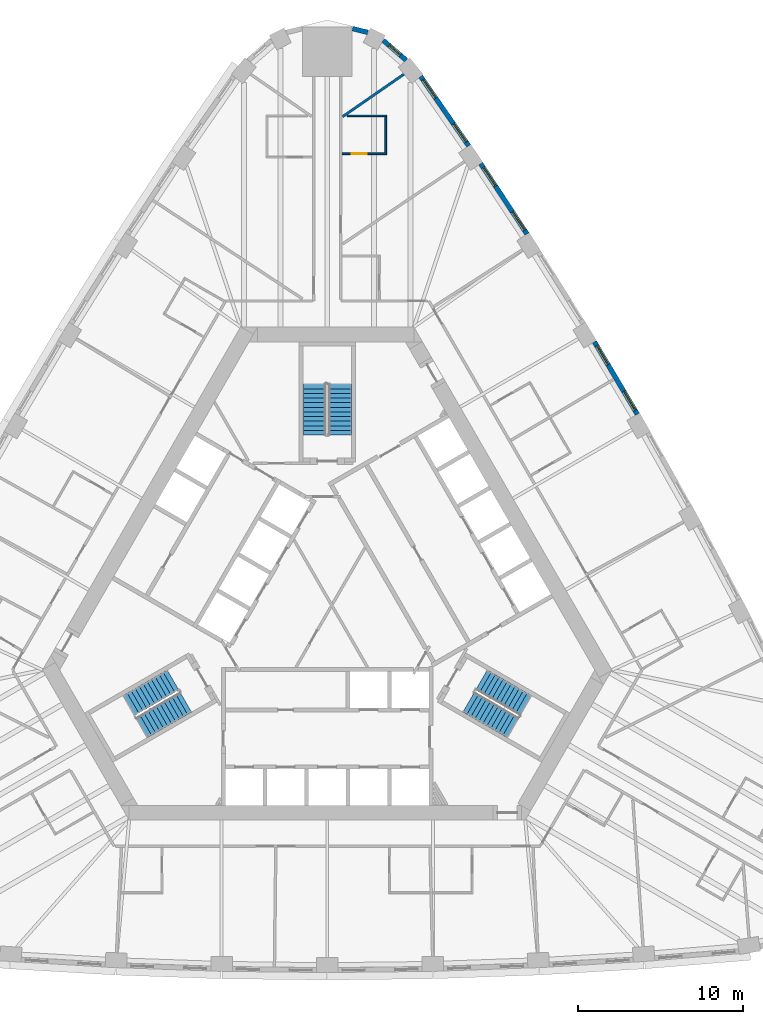
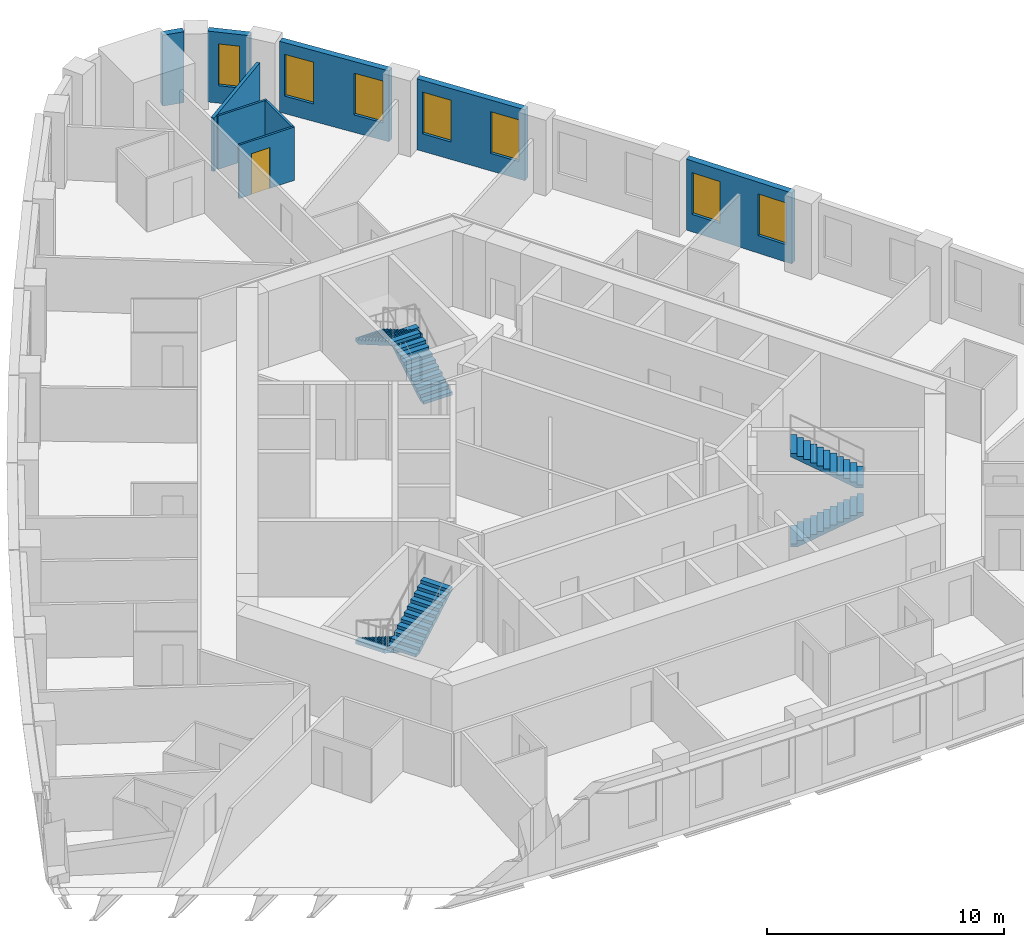
# One storey, part 11 of 12: 9 walls, 7 windows, 6 stair flights, 1 door, 8 openings, 3 elements without a shape of their own.
"""IFC4 building model written with IfcOpenShell, lengths in metres."""

from ifc_helpers import new_model, si_unit, direction, frame, frame_2d, origin, place, context, subcontext, project, spatial, polyline, rectangle, outline, extrude, material, layer, layer_set, type_object, element, fill, aggregate, save


model = new_model("IFC4")

# Units and contexts
model_context = context("Model", 3, precision=1e-05, world=origin(), true_north=direction((0.0, 1.0)))
body_context = subcontext(model_context, "Body", "Model", "MODEL_VIEW")
ifc_project = project(units=[si_unit("LENGTHUNIT", "METRE"), si_unit("AREAUNIT", "SQUARE_METRE"), si_unit("VOLUMEUNIT", "CUBIC_METRE"), si_unit("PLANEANGLEUNIT", "RADIAN"), si_unit("MASSUNIT", "GRAM", prefix="KILO")], contexts=[model_context])

# Site, building, storey
site_placement = place(None, origin())
site = spatial("IfcSite", under=ifc_project, at=site_placement, CompositionType="ELEMENT")
building_placement = place(site_placement, origin())
building = spatial("IfcBuilding", under=site, at=building_placement, Name="Mestral Congress Tower", CompositionType="ELEMENT")
storey_placement = place(building_placement, frame((0.0, 0.0, 122.699951171875)))
storey = spatial("IfcBuildingStorey", under=building, at=storey_placement, Name="L29", CompositionType="ELEMENT", Elevation=122.699951171875)

# Wall, openings, windows
ifc_material_1 = material(Name="Precast concrete C40/50 with limestone facing", Category="masonry")
ifc_layer_1 = layer(ifc_material_1, 0.2900390625)
ifc_layer_set_1 = layer_set([ifc_layer_1], Name="Precast concrete C40/50 with limestone facing")
wall_type_1 = type_object("IfcWallType", Name="Facade stone wall 290", PredefinedType="SOLIDWALL", material=ifc_layer_set_1)
wall_1_placement = place(storey_placement, frame((18.8046875, 11.611083984375, 0.0), z_axis=(0.0, 0.0, 1.0), x_axis=(-0.510054281659, 0.860142214847, 0.0)))
wall_1 = element("IfcWall", 1, at=wall_1_placement, inside=storey, type_object=wall_type_1, Name="Facade wall F1-04", PredefinedType="SOLIDWALL", context=body_context, shape_type="SweptSolid", body=[
    extrude(rectangle(XDim=5.1005859375, YDim=0.2900390625, at=frame_2d((2.55029296875, 0.0))), origin(), (0.0, 0.0, 1.0), 3.650146484375),
])
opening_1_placement = place(wall_1_placement, frame((0.272705078125, 0.0, 0.89990234375)))
opening_1 = element("IfcOpeningElement", 2, at=opening_1_placement, cuts=wall_1, Name="Opening W2", PredefinedType="OPENING", context=body_context, shape_type="SweptSolid", body=[
    extrude(rectangle(XDim=1.35009765625, YDim=2.14990234375, at=frame_2d((0.675048828125, 1.074951171875))), frame((0.0, 0.155029296875, 0.0), z_axis=(0.0, -1.0, 0.0), x_axis=(1.0, 0.0, 0.0)), (0.0, 0.0, 1.0), 0.31005859375),
])
opening_2_placement = place(wall_1_placement, frame((3.477783203125, 0.0, 0.89990234375)))
opening_2 = element("IfcOpeningElement", 3, at=opening_2_placement, cuts=wall_1, Name="Opening W2", PredefinedType="OPENING", context=body_context, shape_type="SweptSolid", body=[
    extrude(rectangle(XDim=1.35009765625, YDim=2.14990234375, at=frame_2d((0.675048828125, 1.074951171875))), frame((0.0, 0.155029296875, 0.0), z_axis=(0.0, -1.0, 0.0), x_axis=(1.0, 0.0, 0.0)), (0.0, 0.0, 1.0), 0.31005859375),
])
ifc_material_2 = material(Name="Clear low-emissivity double glazing", Category="glass")
window_type_1 = type_object("IfcWindowType", Name="Facade punched window 1350 x 2150 sill 900", PartitioningType="DOUBLE_PANEL_VERTICAL", PredefinedType="WINDOW", material=ifc_material_2)
window_1_placement = place(opening_1_placement, origin())
window_1 = element("IfcWindow", 4, at=window_1_placement, inside=storey, type_object=window_type_1, Name="Window F1-04a", OverallHeight=2.14990234375, OverallWidth=1.35009765625, PartitioningType="DOUBLE_PANEL_VERTICAL", PredefinedType="WINDOW", context=body_context, shape_type="SweptSolid", body=[
    extrude(rectangle(XDim=1.35009765625, YDim=2.14990234375, at=frame_2d((0.675048828125, 1.074951171875))), frame((0.0, 0.01513671875, 0.0), z_axis=(0.0, -1.0, 0.0), x_axis=(1.0, 0.0, 0.0)), (0.0, 0.0, 1.0), 0.06005859375),
])
fill(opening_1, window_1)
window_2_placement = place(opening_2_placement, origin())
window_2 = element("IfcWindow", 5, at=window_2_placement, inside=storey, type_object=window_type_1, Name="Window F1-04b", OverallHeight=2.14990234375, OverallWidth=1.35009765625, PartitioningType="DOUBLE_PANEL_VERTICAL", PredefinedType="WINDOW", context=body_context, shape_type="SweptSolid", body=[
    extrude(rectangle(XDim=1.35009765625, YDim=2.14990234375, at=frame_2d((0.675048828125, 1.074951171875))), frame((0.0, 0.01513671875, 0.0), z_axis=(0.0, -1.0, 0.0), x_axis=(1.0, 0.0, 0.0)), (0.0, 0.0, 1.0), 0.06005859375),
])
fill(opening_2, window_2)

wall_2_placement = place(storey_placement, frame((12.114501953125, 22.538818359375, 0.0), z_axis=(0.0, 0.0, 1.0), x_axis=(-0.549741341923, 0.835334937005, 0.0)))
wall_2 = element("IfcWall", 6, at=wall_2_placement, inside=storey, type_object=wall_type_1, Name="Facade wall F1-06", PredefinedType="SOLIDWALL", context=body_context, shape_type="SweptSolid", body=[
    extrude(rectangle(XDim=5.10009765625, YDim=0.2900390625, at=frame_2d((2.550048828125, 0.0))), origin(), (0.0, 0.0, 1.0), 3.650146484375),
])
opening_3_placement = place(wall_2_placement, frame((0.272705078125, 0.0, 0.89990234375)))
opening_3 = element("IfcOpeningElement", 7, at=opening_3_placement, cuts=wall_2, Name="Opening W2", PredefinedType="OPENING", context=body_context, shape_type="SweptSolid", body=[
    extrude(rectangle(XDim=1.35009765625, YDim=2.14990234375, at=frame_2d((0.675048828125, 1.074951171875))), frame((0.0, 0.155029296875, 0.0), z_axis=(0.0, -1.0, 0.0), x_axis=(1.0, 0.0, 0.0)), (0.0, 0.0, 1.0), 0.31005859375),
])
opening_4_placement = place(wall_2_placement, frame((3.477783203125, 0.0, 0.89990234375)))
opening_4 = element("IfcOpeningElement", 8, at=opening_4_placement, cuts=wall_2, Name="Opening W2", PredefinedType="OPENING", context=body_context, shape_type="SweptSolid", body=[
    extrude(rectangle(XDim=1.35009765625, YDim=2.14990234375, at=frame_2d((0.675048828125, 1.074951171875))), frame((0.0, 0.155029296875, 0.0), z_axis=(0.0, -1.0, 0.0), x_axis=(1.0, 0.0, 0.0)), (0.0, 0.0, 1.0), 0.31005859375),
])
window_3_placement = place(opening_3_placement, origin())
window_3 = element("IfcWindow", 9, at=window_3_placement, inside=storey, type_object=window_type_1, Name="Window F1-06a", OverallHeight=2.14990234375, OverallWidth=1.35009765625, PartitioningType="DOUBLE_PANEL_VERTICAL", PredefinedType="WINDOW", context=body_context, shape_type="SweptSolid", body=[
    extrude(rectangle(XDim=1.35009765625, YDim=2.14990234375, at=frame_2d((0.675048828125, 1.074951171875))), frame((0.0, 0.01513671875, 0.0), z_axis=(0.0, -1.0, 0.0), x_axis=(1.0, 0.0, 0.0)), (0.0, 0.0, 1.0), 0.06005859375),
])
fill(opening_3, window_3)
window_4_placement = place(opening_4_placement, origin())
window_4 = element("IfcWindow", 10, at=window_4_placement, inside=storey, type_object=window_type_1, Name="Window F1-06b", OverallHeight=2.14990234375, OverallWidth=1.35009765625, PartitioningType="DOUBLE_PANEL_VERTICAL", PredefinedType="WINDOW", context=body_context, shape_type="SweptSolid", body=[
    extrude(rectangle(XDim=1.35009765625, YDim=2.14990234375, at=frame_2d((0.675048828125, 1.074951171875))), frame((0.0, 0.01513671875, 0.0), z_axis=(0.0, -1.0, 0.0), x_axis=(1.0, 0.0, 0.0)), (0.0, 0.0, 1.0), 0.06005859375),
])
fill(opening_4, window_4)

wall_3_placement = place(storey_placement, frame((8.57958984375, 27.882080078125, 0.0), z_axis=(0.0, 0.0, 1.0), x_axis=(-0.569113019126, 0.822259309136, 0.0)))
wall_3 = element("IfcWall", 11, at=wall_3_placement, inside=storey, type_object=wall_type_1, Name="Facade wall F1-07", PredefinedType="SOLIDWALL", context=body_context, shape_type="SweptSolid", body=[
    extrude(rectangle(XDim=5.106689453125, YDim=0.2900390625, at=frame_2d((2.55322265625, 0.0))), origin(), (0.0, 0.0, 1.0), 3.650146484375),
])
opening_5_placement = place(wall_3_placement, frame((0.285400390625, 0.0, 0.89990234375)))
opening_5 = element("IfcOpeningElement", 12, at=opening_5_placement, cuts=wall_3, Name="Opening W2", PredefinedType="OPENING", context=body_context, shape_type="SweptSolid", body=[
    extrude(rectangle(XDim=1.35009765625, YDim=2.14990234375, at=frame_2d((0.675048828125, 1.074951171875))), frame((0.0, 0.155029296875, 0.0), z_axis=(0.0, -1.0, 0.0), x_axis=(1.0, 0.0, 0.0)), (0.0, 0.0, 1.0), 0.31005859375),
])
opening_6_placement = place(wall_3_placement, frame((3.516357421875, 0.0, 0.89990234375)))
opening_6 = element("IfcOpeningElement", 13, at=opening_6_placement, cuts=wall_3, Name="Opening W2", PredefinedType="OPENING", context=body_context, shape_type="SweptSolid", body=[
    extrude(rectangle(XDim=1.35009765625, YDim=2.14990234375, at=frame_2d((0.675048828125, 1.074951171875))), frame((0.0, 0.155029296875, 0.0), z_axis=(0.0, -1.0, 0.0), x_axis=(1.0, 0.0, 0.0)), (0.0, 0.0, 1.0), 0.31005859375),
])
window_5_placement = place(opening_5_placement, origin())
window_5 = element("IfcWindow", 14, at=window_5_placement, inside=storey, type_object=window_type_1, Name="Window F1-07a", OverallHeight=2.14990234375, OverallWidth=1.35009765625, PartitioningType="DOUBLE_PANEL_VERTICAL", PredefinedType="WINDOW", context=body_context, shape_type="SweptSolid", body=[
    extrude(rectangle(XDim=1.35009765625, YDim=2.14990234375, at=frame_2d((0.675048828125, 1.074951171875))), frame((0.0, 0.01513671875, 0.0), z_axis=(0.0, -1.0, 0.0), x_axis=(1.0, 0.0, 0.0)), (0.0, 0.0, 1.0), 0.06005859375),
])
fill(opening_5, window_5)
window_6_placement = place(opening_6_placement, origin())
window_6 = element("IfcWindow", 15, at=window_6_placement, inside=storey, type_object=window_type_1, Name="Window F1-07b", OverallHeight=2.14990234375, OverallWidth=1.35009765625, PartitioningType="DOUBLE_PANEL_VERTICAL", PredefinedType="WINDOW", context=body_context, shape_type="SweptSolid", body=[
    extrude(rectangle(XDim=1.35009765625, YDim=2.14990234375, at=frame_2d((0.675048828125, 1.074951171875))), frame((0.0, 0.01513671875, 0.0), z_axis=(0.0, -1.0, 0.0), x_axis=(1.0, 0.0, 0.0)), (0.0, 0.0, 1.0), 0.06005859375),
])
fill(opening_6, window_6)

# Wall, opening, window
wall_4_placement = place(storey_placement, frame((4.778076171875, 33.08203125, 0.0), z_axis=(0.0, 0.0, 1.0), x_axis=(-0.754882764627, 0.655859749999, 0.0)))
wall_4 = element("IfcWall", 16, at=wall_4_placement, inside=storey, type_object=wall_type_1, Name="Facade wall K1-0", PredefinedType="SOLIDWALL", context=body_context, shape_type="SweptSolid", body=[
    extrude(rectangle(XDim=1.819580078125, YDim=0.2900390625, at=frame_2d((0.90966796875, 0.0))), origin(), (0.0, 0.0, 1.0), 3.650146484375),
])
opening_7_placement = place(wall_4_placement, frame((0.459716796875, 0.0, 0.89990234375)))
opening_7 = element("IfcOpeningElement", 17, at=opening_7_placement, cuts=wall_4, Name="Opening W3", PredefinedType="OPENING", context=body_context, shape_type="SweptSolid", body=[
    extrude(rectangle(XDim=0.89990234375, YDim=2.14990234375, at=frame_2d((0.449951171875, 1.074951171875))), frame((0.0, 0.155029296875, 0.0), z_axis=(0.0, -1.0, 0.0), x_axis=(1.0, 0.0, 0.0)), (0.0, 0.0, 1.0), 0.31005859375),
])
window_type_2 = type_object("IfcWindowType", Name="Facade punched window 900 x 2150 sill 900", PartitioningType="SINGLE_PANEL", PredefinedType="WINDOW", material=ifc_material_2)
window_7_placement = place(opening_7_placement, origin())
window_7 = element("IfcWindow", 18, at=window_7_placement, inside=storey, type_object=window_type_2, Name="Window K1-0", OverallHeight=2.14990234375, OverallWidth=0.89990234375, PartitioningType="SINGLE_PANEL", PredefinedType="WINDOW", context=body_context, shape_type="SweptSolid", body=[
    extrude(rectangle(XDim=0.89990234375, YDim=2.14990234375, at=frame_2d((0.449951171875, 1.074951171875))), frame((0.0, 0.01513671875, 0.0), z_axis=(0.0, -1.0, 0.0), x_axis=(1.0, 0.0, 0.0)), (0.0, 0.0, 1.0), 0.06005859375),
])
fill(opening_7, window_7)

# Wall
wall_5_placement = place(storey_placement, frame((2.455322265625, 34.765625, 0.0), z_axis=(0.0, 0.0, 1.0), x_axis=(-0.971713991574, 0.236160789674, 0.0)))
element("IfcWall", 19, at=wall_5_placement, inside=storey, type_object=wall_type_1, Name="Facade wall K1-1", PredefinedType="SOLIDWALL", context=body_context, shape_type="SweptSolid", body=[
    extrude(rectangle(XDim=0.947021484375, YDim=0.2900390625, at=frame_2d((0.4736328125, 0.0))), origin(), (0.0, 0.0, 1.0), 3.650146484375),
])

# Wall, opening, door
ifc_material_3 = material(Name="Gypsum board partition on metal studs with mineral wool", Category="composite")
ifc_layer_2 = layer(ifc_material_3, 0.10009765625)
ifc_layer_set_2 = layer_set([ifc_layer_2], Name="Gypsum board partition on metal studs with mineral wool")
wall_type_2 = type_object("IfcWallType", Name="Hotel partition wall 100", PredefinedType="PARTITIONING", material=ifc_layer_set_2)
wall_6_placement = place(storey_placement, frame((0.89990234375, 27.39794921875, 0.0), z_axis=(0.0, 0.0, 1.0), x_axis=(1.0, 0.0, 0.0)))
wall_6 = element("IfcWall", 20, at=wall_6_placement, inside=storey, type_object=wall_type_2, Name="L29-h-pod12a", PredefinedType="PARTITIONING", context=body_context, shape_type="SweptSolid", body=[
    extrude(rectangle(XDim=2.7001953125, YDim=0.10009765625, at=frame_2d((1.35009765625, 0.0))), origin(), (0.0, 0.0, 1.0), 2.75),
])
opening_8_placement = place(wall_6_placement, frame((0.60009765625, 0.0, 0.0)))
opening_8 = element("IfcOpeningElement", 21, at=opening_8_placement, cuts=wall_6, Name="Opening H09-024", PredefinedType="OPENING", context=body_context, shape_type="SweptSolid", body=[
    extrude(rectangle(XDim=0.89990234375, YDim=2.10009765625, at=frame_2d((0.449951171875, 1.050048828125))), frame((0.0, 0.06005859375, 0.0), z_axis=(0.0, -1.0, 0.0), x_axis=(1.0, 0.0, 0.0)), (0.0, 0.0, 1.0), 0.1201171875),
])
ifc_material_4 = material(Name="Timber veneer door leaf in timber frame", Category="wood")
door_type = type_object("IfcDoorType", Name="Bathroom door 900", OperationType="SINGLE_SWING_LEFT", PredefinedType="DOOR", material=ifc_material_4)
door_placement = place(opening_8_placement, origin())
door = element("IfcDoor", 22, at=door_placement, inside=storey, type_object=door_type, Name="L29-h-d024", OperationType="SINGLE_SWING_RIGHT", OverallHeight=2.10009765625, OverallWidth=0.89990234375, PredefinedType="DOOR", context=body_context, shape_type="SweptSolid", body=[
    extrude(rectangle(XDim=0.89990234375, YDim=2.10009765625, at=frame_2d((0.449951171875, 1.050048828125))), frame((0.0, 0.02490234375, 0.0), z_axis=(0.0, -1.0, 0.0), x_axis=(1.0, 0.0, 0.0)), (0.0, 0.0, 1.0), 0.050048828125),
])
fill(opening_8, door)

# Walls
wall_7_placement = place(storey_placement, frame((3.550048828125, 27.447998046875, 0.0), z_axis=(0.0, 0.0, 1.0), x_axis=(0.0, 1.0, 0.0)))
element("IfcWall", 23, at=wall_7_placement, inside=storey, type_object=wall_type_2, Name="L29-h-pod12b", PredefinedType="PARTITIONING", context=body_context, shape_type="SweptSolid", body=[
    extrude(rectangle(XDim=2.199951171875, YDim=0.10009765625, at=frame_2d((1.10009765625, 0.0))), origin(), (0.0, 0.0, 1.0), 2.75),
])
wall_8_placement = place(storey_placement, frame((1.199951171875, 29.697998046875, 0.0), z_axis=(0.0, 0.0, 1.0), x_axis=(1.0, 0.0, 0.0)))
element("IfcWall", 24, at=wall_8_placement, inside=storey, type_object=wall_type_2, Name="L29-h-pod12c", PredefinedType="PARTITIONING", context=body_context, shape_type="SweptSolid", body=[
    extrude(rectangle(XDim=2.400146484375, YDim=0.10009765625, at=frame_2d((1.2001953125, 0.0))), origin(), (0.0, 0.0, 1.0), 2.75),
])
ifc_layer_3 = layer(ifc_material_3, 0.14990234375)
ifc_layer_set_3 = layer_set([ifc_layer_3], Name="Gypsum board partition on metal studs with mineral wool")
wall_type_3 = type_object("IfcWallType", Name="Hotel partition wall 150", PredefinedType="PARTITIONING", material=ifc_layer_set_3)
wall_9_placement = place(storey_placement, frame((4.649169921875, 32.223388671875, 0.0), z_axis=(0.0, 0.0, 1.0), x_axis=(-0.822262349475, -0.569108626394, 0.0)))
element("IfcWall", 25, at=wall_9_placement, inside=storey, type_object=wall_type_3, Name="L29-h-pw13", PredefinedType="PARTITIONING", context=body_context, shape_type="SweptSolid", body=[
    extrude(rectangle(XDim=4.509521484375, YDim=0.14990234375, at=frame_2d((2.2548828125, 0.0))), origin(), (0.0, 0.0, 1.0), 2.75),
])

# Stair, stair flights
ifc_material_5 = material(Name="Concrete C60/75", Category="concrete")
stair_type = type_object("IfcStairType", Name="Exit stair 1400", PredefinedType="HALF_TURN_STAIR", material=ifc_material_5)
placement = place(storey_placement, origin())
stair_1 = element("IfcStair", 26, at=placement, inside=storey, type_object=stair_type, Name="L29 ST1", PredefinedType="HALF_TURN_STAIR")
stair_flight_type = type_object("IfcStairFlightType", Name="Exit stair flight 1400", PredefinedType="STRAIGHT", material=ifc_material_5)
stair_flight_1_placement = place(storey_placement, frame((8.575927734375, -5.84619140625, 0.0), z_axis=(0.0, 0.0, 1.0), x_axis=(0.866025403784, -0.5, 0.0)))
stair_flight_1 = element("IfcStairFlight", 27, at=stair_flight_1_placement, type_object=stair_flight_type, Name="ST1 flight 1", NumberOfRisers=12, NumberOfTreads=11, PredefinedType="STRAIGHT", RiserHeight=0.1625, TreadLength=0.28, context=body_context, shape_type="SweptSolid", body=[
    extrude(outline(polyline([(0.0, 0.0), (0.0, 0.16259765625), (0.280029296875, 0.16259765625), (0.280029296875, 0.324951171875), (0.56005859375, 0.324951171875), (0.56005859375, 0.487548828125), (0.840087890625, 0.487548828125), (0.840087890625, 0.64990234375), (1.1201171875, 0.64990234375), (1.1201171875, 0.8125), (1.39990234375, 0.8125), (1.39990234375, 0.97509765625), (1.679931640625, 0.97509765625), (1.679931640625, 1.137451171875), (1.9599609375, 1.137451171875), (1.9599609375, 1.300048828125), (2.239990234375, 1.300048828125), (2.239990234375, 1.46240234375), (2.52001953125, 1.46240234375), (2.52001953125, 1.625), (2.800048828125, 1.625), (2.800048828125, 1.78759765625), (3.080078125, 1.78759765625), (3.080078125, 1.949951171875), (3.080078125, 1.6142578125), (0.298583984375, 0.0), (0.0, 0.0)])), frame((0.0, 0.699951171875, 0.0), z_axis=(0.0, -1.0, 0.0), x_axis=(1.0, 0.0, 0.0)), (0.0, 0.0, 1.0), 1.39990234375),
])
stair_flight_2_placement = place(storey_placement, frame((12.018310546875, -6.0439453125, 1.949951171875), z_axis=(0.0, 0.0, 1.0), x_axis=(-0.866025403784, 0.5, 0.0)))
stair_flight_2 = element("IfcStairFlight", 28, at=stair_flight_2_placement, type_object=stair_flight_type, Name="ST1 flight 2", NumberOfRisers=12, NumberOfTreads=11, PredefinedType="STRAIGHT", RiserHeight=0.1625, TreadLength=0.28, context=body_context, shape_type="SweptSolid", body=[
    extrude(outline(polyline([(0.0, 0.0), (0.0, 0.16259765625), (0.280029296875, 0.16259765625), (0.280029296875, 0.324951171875), (0.56005859375, 0.324951171875), (0.56005859375, 0.487548828125), (0.840087890625, 0.487548828125), (0.840087890625, 0.64990234375), (1.1201171875, 0.64990234375), (1.1201171875, 0.8125), (1.39990234375, 0.8125), (1.39990234375, 0.97509765625), (1.679931640625, 0.97509765625), (1.679931640625, 1.137451171875), (1.9599609375, 1.137451171875), (1.9599609375, 1.300048828125), (2.239990234375, 1.300048828125), (2.239990234375, 1.46240234375), (2.52001953125, 1.46240234375), (2.52001953125, 1.625), (2.800048828125, 1.625), (2.800048828125, 1.78759765625), (3.080078125, 1.78759765625), (3.080078125, 1.949951171875), (3.080078125, 1.6142578125), (0.298583984375, 0.0), (0.0, 0.0)])), frame((0.0, 0.699951171875, 0.0), z_axis=(0.0, -1.0, 0.0), x_axis=(1.0, 0.0, 0.0)), (0.0, 0.0, 1.0), 1.39990234375),
])
aggregate(stair_1, [stair_flight_1, stair_flight_2])

stair_2 = element("IfcStair", 29, at=placement, inside=storey, type_object=stair_type, Name="L29 ST2", PredefinedType="HALF_TURN_STAIR")
stair_flight_3_placement = place(storey_placement, frame((0.77490234375, 10.35009765625, 0.0), z_axis=(0.0, 0.0, 1.0), x_axis=(0.0, 1.0, 0.0)))
stair_flight_3 = element("IfcStairFlight", 30, at=stair_flight_3_placement, type_object=stair_flight_type, Name="ST2 flight 1", NumberOfRisers=12, NumberOfTreads=11, PredefinedType="STRAIGHT", RiserHeight=0.1625, TreadLength=0.28, context=body_context, shape_type="SweptSolid", body=[
    extrude(outline(polyline([(0.0, 0.0), (0.0, 0.16259765625), (0.280029296875, 0.16259765625), (0.280029296875, 0.324951171875), (0.56005859375, 0.324951171875), (0.56005859375, 0.487548828125), (0.840087890625, 0.487548828125), (0.840087890625, 0.64990234375), (1.1201171875, 0.64990234375), (1.1201171875, 0.8125), (1.39990234375, 0.8125), (1.39990234375, 0.97509765625), (1.679931640625, 0.97509765625), (1.679931640625, 1.137451171875), (1.9599609375, 1.137451171875), (1.9599609375, 1.300048828125), (2.239990234375, 1.300048828125), (2.239990234375, 1.46240234375), (2.52001953125, 1.46240234375), (2.52001953125, 1.625), (2.800048828125, 1.625), (2.800048828125, 1.78759765625), (3.080078125, 1.78759765625), (3.080078125, 1.949951171875), (3.080078125, 1.6142578125), (0.298583984375, 0.0), (0.0, 0.0)])), frame((0.0, 0.699951171875, 0.0), z_axis=(0.0, -1.0, 0.0), x_axis=(1.0, 0.0, 0.0)), (0.0, 0.0, 1.0), 1.39990234375),
])
stair_flight_4_placement = place(storey_placement, frame((-0.77490234375, 13.429931640625, 1.949951171875), z_axis=(0.0, 0.0, 1.0), x_axis=(0.0, -1.0, 0.0)))
stair_flight_4 = element("IfcStairFlight", 31, at=stair_flight_4_placement, type_object=stair_flight_type, Name="ST2 flight 2", NumberOfRisers=12, NumberOfTreads=11, PredefinedType="STRAIGHT", RiserHeight=0.1625, TreadLength=0.28, context=body_context, shape_type="SweptSolid", body=[
    extrude(outline(polyline([(0.0, 0.0), (0.0, 0.16259765625), (0.280029296875, 0.16259765625), (0.280029296875, 0.324951171875), (0.56005859375, 0.324951171875), (0.56005859375, 0.487548828125), (0.840087890625, 0.487548828125), (0.840087890625, 0.64990234375), (1.1201171875, 0.64990234375), (1.1201171875, 0.8125), (1.39990234375, 0.8125), (1.39990234375, 0.97509765625), (1.679931640625, 0.97509765625), (1.679931640625, 1.137451171875), (1.9599609375, 1.137451171875), (1.9599609375, 1.300048828125), (2.239990234375, 1.300048828125), (2.239990234375, 1.46240234375), (2.52001953125, 1.46240234375), (2.52001953125, 1.625), (2.800048828125, 1.625), (2.800048828125, 1.78759765625), (3.080078125, 1.78759765625), (3.080078125, 1.949951171875), (3.080078125, 1.6142578125), (0.298583984375, 0.0), (0.0, 0.0)])), frame((0.0, 0.699951171875, 0.0), z_axis=(0.0, -1.0, 0.0), x_axis=(1.0, 0.0, 0.0)), (0.0, 0.0, 1.0), 1.39990234375),
])
aggregate(stair_2, [stair_flight_3, stair_flight_4])

stair_3 = element("IfcStair", 32, at=placement, inside=storey, type_object=stair_type, Name="L29 ST3", PredefinedType="HALF_TURN_STAIR")
stair_flight_5_placement = place(storey_placement, frame((-9.350830078125, -4.50390625, 0.0), z_axis=(0.0, 0.0, 1.0), x_axis=(-0.866025403784, -0.5, 0.0)))
stair_flight_5 = element("IfcStairFlight", 33, at=stair_flight_5_placement, type_object=stair_flight_type, Name="ST3 flight 1", NumberOfRisers=12, NumberOfTreads=11, PredefinedType="STRAIGHT", RiserHeight=0.1625, TreadLength=0.28, context=body_context, shape_type="SweptSolid", body=[
    extrude(outline(polyline([(0.0, 0.0), (0.0, 0.16259765625), (0.280029296875, 0.16259765625), (0.280029296875, 0.324951171875), (0.56005859375, 0.324951171875), (0.56005859375, 0.487548828125), (0.840087890625, 0.487548828125), (0.840087890625, 0.64990234375), (1.1201171875, 0.64990234375), (1.1201171875, 0.8125), (1.39990234375, 0.8125), (1.39990234375, 0.97509765625), (1.679931640625, 0.97509765625), (1.679931640625, 1.137451171875), (1.9599609375, 1.137451171875), (1.9599609375, 1.300048828125), (2.239990234375, 1.300048828125), (2.239990234375, 1.46240234375), (2.52001953125, 1.46240234375), (2.52001953125, 1.625), (2.800048828125, 1.625), (2.800048828125, 1.78759765625), (3.080078125, 1.78759765625), (3.080078125, 1.949951171875), (3.080078125, 1.6142578125), (0.298583984375, 0.0), (0.0, 0.0)])), frame((0.0, 0.699951171875, 0.0), z_axis=(0.0, -1.0, 0.0), x_axis=(1.0, 0.0, 0.0)), (0.0, 0.0, 1.0), 1.39990234375),
])
stair_flight_6_placement = place(storey_placement, frame((-11.2431640625, -7.38623046875, 1.949951171875), z_axis=(0.0, 0.0, 1.0), x_axis=(0.866025403784, 0.5, 0.0)))
stair_flight_6 = element("IfcStairFlight", 34, at=stair_flight_6_placement, type_object=stair_flight_type, Name="ST3 flight 2", NumberOfRisers=12, NumberOfTreads=11, PredefinedType="STRAIGHT", RiserHeight=0.1625, TreadLength=0.28, context=body_context, shape_type="SweptSolid", body=[
    extrude(outline(polyline([(0.0, 0.0), (0.0, 0.16259765625), (0.280029296875, 0.16259765625), (0.280029296875, 0.324951171875), (0.56005859375, 0.324951171875), (0.56005859375, 0.487548828125), (0.840087890625, 0.487548828125), (0.840087890625, 0.64990234375), (1.1201171875, 0.64990234375), (1.1201171875, 0.8125), (1.39990234375, 0.8125), (1.39990234375, 0.97509765625), (1.679931640625, 0.97509765625), (1.679931640625, 1.137451171875), (1.9599609375, 1.137451171875), (1.9599609375, 1.300048828125), (2.239990234375, 1.300048828125), (2.239990234375, 1.46240234375), (2.52001953125, 1.46240234375), (2.52001953125, 1.625), (2.800048828125, 1.625), (2.800048828125, 1.78759765625), (3.080078125, 1.78759765625), (3.080078125, 1.949951171875), (3.080078125, 1.6142578125), (0.298583984375, 0.0), (0.0, 0.0)])), frame((0.0, 0.699951171875, 0.0), z_axis=(0.0, -1.0, 0.0), x_axis=(1.0, 0.0, 0.0)), (0.0, 0.0, 1.0), 1.39990234375),
])
aggregate(stair_3, [stair_flight_5, stair_flight_6])

save(model, "model.ifc")
